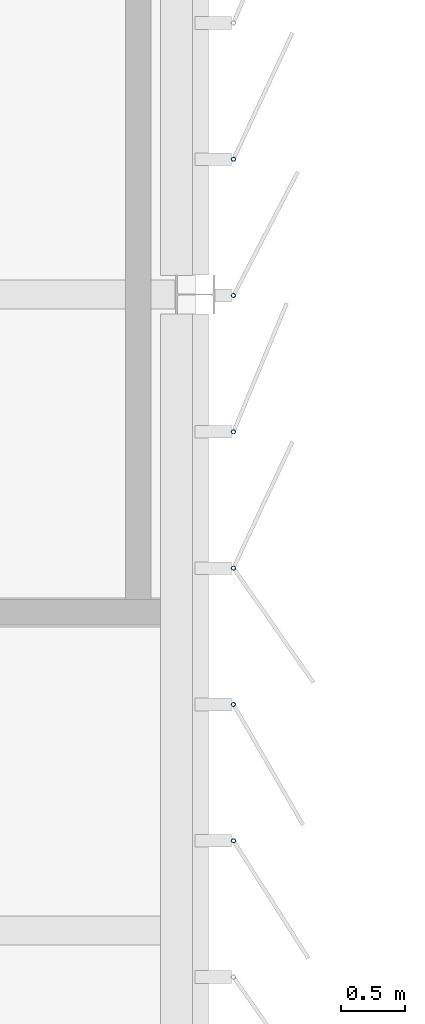
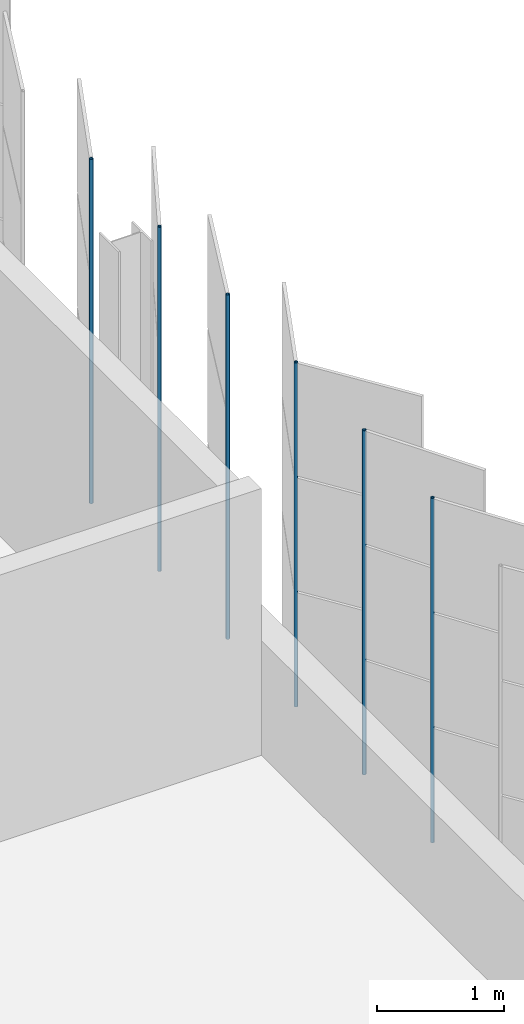
# One storey, part 111 of 214: 6 discrete accessories.
"""IFC4 building model written with IfcOpenShell, lengths in metres."""

import ifcopenshell
import ifcopenshell.guid

model = None  # the IFC model being written
_history = None  # IfcOwnerHistory: only IFC2X3 demands one
_inside = {}  # id of a spatial element -> (the spatial element, [elements in it])
_under = {}  # id of a project, library or spatial element -> (it, [spatial elements below it])
_declared = {}  # id of a project -> (the project, [libraries it declares])
_typed = {}  # id of a type object -> (the type object, [elements of that type])
_made_of = {}  # id of a material, layer set ... -> (it, [elements and type objects made of it])


def new_model(schema):
    """Start an empty IFC model of exactly this schema.

    Asked for "IFC4X3", IfcOpenShell would pick the latest addendum, in which some entities
    have other attributes; the version numbers below select the first issue.
    IFC2X3 requires an IfcOwnerHistory on every rooted entity: one is made here for all.
    """
    global model, _history
    if schema == "IFC4X3":
        model = ifcopenshell.file(schema_version=(4, 3, 0, 0))
    else:
        model = ifcopenshell.file(schema=schema)
    _inside.clear()
    _under.clear()
    _declared.clear()
    _typed.clear()
    _made_of.clear()
    _history = None
    if model.schema == "IFC2X3":
        org = make("IfcOrganization", Name="unknown")
        user = make(
            "IfcPersonAndOrganization",
            ThePerson=make("IfcPerson", FamilyName="unknown"),
            TheOrganization=org,
        )
        app = make(
            "IfcApplication",
            ApplicationDeveloper=org,
            Version="unknown",
            ApplicationFullName="unknown",
            ApplicationIdentifier="unknown",
        )
        _history = make(
            "IfcOwnerHistory",
            OwningUser=user,
            OwningApplication=app,
            ChangeAction="ADDED",
            CreationDate=0,
        )
    return model


def make(cls, **values):
    """One entity of the class cls with the attributes given. An attribute that is None is left unset."""
    return model.create_entity(
        cls, **{name: value for name, value in values.items() if value is not None}
    )


def rooted(cls, **values):
    """An entity with a GlobalId (a new one), such as an element, a storey or a relation."""
    return make(cls, GlobalId=ifcopenshell.guid.new(), OwnerHistory=_history, **values)


def si_unit(unit_type, name, prefix=None):
    """IfcSIUnit, for example si_unit("LENGTHUNIT", "METRE", prefix="MILLI")."""
    return make("IfcSIUnit", UnitType=unit_type, Prefix=prefix, Name=name)


def assignment(units):
    """IfcUnitAssignment: the units of a project."""
    return None if units is None else make("IfcUnitAssignment", Units=units)


def point(xyz):
    """IfcCartesianPoint."""
    return None if xyz is None else make("IfcCartesianPoint", Coordinates=xyz)


def direction(xyz):
    """IfcDirection."""
    return None if xyz is None else make("IfcDirection", DirectionRatios=xyz)


def frame(location, z_axis=None, x_axis=None):
    """IfcAxis2Placement3D, a coordinate frame: its origin and axes. An axis left out is left unset."""
    return make(
        "IfcAxis2Placement3D",
        Location=point(location),
        Axis=direction(z_axis),
        RefDirection=direction(x_axis),
    )


def frame_2d(location, x_axis=None):
    """IfcAxis2Placement2D, a coordinate frame in the plane: its origin and x axis."""
    return make(
        "IfcAxis2Placement2D", Location=point(location), RefDirection=direction(x_axis)
    )


def origin():
    """The frame at (0, 0, 0) with its axes left unset."""
    return frame((0.0, 0.0, 0.0))


def origin_2d():
    """The frame at (0, 0) in the plane with its x axis left unset."""
    return frame_2d((0.0, 0.0))


def place(relative_to, where):
    """IfcLocalPlacement: puts the frame where relative to a parent placement (None: the world)."""
    return make(
        "IfcLocalPlacement", PlacementRelTo=relative_to, RelativePlacement=where
    )


def context(
    kind, dimensions, precision=None, world=None, true_north=None, identifier=None
):
    """IfcGeometricRepresentationContext, for example the 3D "Model" context."""
    return make(
        "IfcGeometricRepresentationContext",
        ContextIdentifier=identifier,
        ContextType=kind,
        CoordinateSpaceDimension=dimensions,
        Precision=precision,
        WorldCoordinateSystem=world,
        TrueNorth=true_north,
    )


def subcontext(parent, identifier, kind, view, scale=None):
    """IfcGeometricRepresentationSubContext, for example "Body" below "Model"."""
    return make(
        "IfcGeometricRepresentationSubContext",
        ContextIdentifier=identifier,
        ContextType=kind,
        ParentContext=parent,
        TargetScale=scale,
        TargetView=view,
    )


def project(units=None, contexts=None):
    """IfcProject with its units and contexts."""
    return rooted(
        "IfcProject",
        Name="project",
        RepresentationContexts=contexts,
        UnitsInContext=assignment(units),
    )


def spatial(cls, under=None, at=None, **own):
    """A site, building, storey or space (cls), placed at a placement, below another one or the project."""
    s = rooted(cls, ObjectPlacement=at, **own)
    if under is not None:
        _under.setdefault(under.id(), (under, []))[1].append(s)
    return s


def profile(cls, at=None, kind="AREA", **sizes):
    """A parametric profile (cls). Its sizes go by their IFC names, for example OverallWidth=200.0."""
    return make(cls, ProfileType=kind, Position=at, **sizes)


def hollow_circle(**sizes):
    """IfcCircleHollowProfileDef."""
    return profile("IfcCircleHollowProfileDef", **sizes)


def extrude(swept, where, along, depth):
    """IfcExtrudedAreaSolid: the profile swept, set in the frame where, extruded along a direction by depth."""
    return make(
        "IfcExtrudedAreaSolid",
        SweptArea=swept,
        Position=where,
        ExtrudedDirection=direction(along),
        Depth=depth,
    )


def shape(context_of_items, identifier, shape_type, items):
    """IfcShapeRepresentation: the items that make up one representation, for example the "Body"."""
    return make(
        "IfcShapeRepresentation",
        ContextOfItems=context_of_items,
        RepresentationIdentifier=identifier,
        RepresentationType=shape_type,
        Items=items,
    )


def material(Name=None, Category=None):
    """IfcMaterial."""
    return make("IfcMaterial", Name=Name, Category=Category)


def material_profile(
    of_material, cross_section, Name=None, Category=None, Priority=None
):
    """IfcMaterialProfile: a cross section and its material."""
    return make(
        "IfcMaterialProfile",
        Name=Name,
        Material=of_material,
        Profile=cross_section,
        Priority=Priority,
        Category=Category,
    )


def profile_set(profiles, Name=None, composite=None):
    """IfcMaterialProfileSet."""
    return make(
        "IfcMaterialProfileSet",
        Name=Name,
        MaterialProfiles=profiles,
        CompositeProfile=composite,
    )


def made_of(thing, what):
    """Note that an element or type object is made of a material, layer set ...; save() writes the relation."""
    if what is not None:
        _made_of.setdefault(what.id(), (what, []))[1].append(thing)
    return thing


def type_object(cls, material=None, **own):
    """A type object (cls), such as IfcWallType, which elements share."""
    return made_of(rooted(cls, **own), material)


def element(
    cls,
    number,
    at=None,
    inside=None,
    cuts=None,
    type_object=None,
    material=None,
    context=None,
    identifier="Body",
    shape_type=None,
    held_by="IfcProductDefinitionShape",
    body=None,
    shapes=None,
    **own,
):
    """One element of the class cls, such as IfcWall. Its Tag is "e" and its number.

    at: its placement. inside: the storey or other place that contains it. cuts: it is an
    opening in that element (IfcRelVoidsElement). A single representation is given by context,
    identifier, shape_type and body (its items); several are given by shapes. held_by: the class
    of the entity that holds the representations. save() writes the other relations.
    """
    e = rooted(cls, Tag="e%d" % number, ObjectPlacement=at, **own)
    if body is not None:
        shapes = [shape(context, identifier, shape_type, body)]
    if shapes is not None:
        e.Representation = make(held_by, Representations=shapes)
    if inside is not None:
        _inside.setdefault(inside.id(), (inside, []))[1].append(e)
    if cuts is not None:
        rooted(
            "IfcRelVoidsElement", RelatingBuildingElement=cuts, RelatedOpeningElement=e
        )
    if type_object is not None:
        _typed.setdefault(type_object.id(), (type_object, []))[1].append(e)
    return made_of(e, material)


def aggregate(whole, parts):
    """IfcRelAggregates: a whole, such as a stair, and the parts it consists of."""
    return rooted("IfcRelAggregates", RelatingObject=whole, RelatedObjects=parts)


def save(model, path):
    """Write the relations noted so far, then the file.

    IfcRelAggregates (storeys below a building ...), IfcRelContainedInSpatialStructure (elements
    in a storey), IfcRelDefinesByType, IfcRelAssociatesMaterial and IfcRelDeclares: one each for
    every whole, place, type object, material and project.
    """
    for whole, parts in _under.values():
        aggregate(whole, parts)
    for where, things in _inside.values():
        rooted(
            "IfcRelContainedInSpatialStructure",
            RelatedElements=things,
            RelatingStructure=where,
        )
    for kind, things in _typed.values():
        rooted("IfcRelDefinesByType", RelatedObjects=things, RelatingType=kind)
    for what, things in _made_of.values():
        rooted("IfcRelAssociatesMaterial", RelatedObjects=things, RelatingMaterial=what)
    for by, libraries in _declared.values():
        rooted("IfcRelDeclares", RelatingContext=by, RelatedDefinitions=libraries)
    model.write(path)


model = new_model("IFC4")

# Units and contexts
model_context = context("Model", 3, precision=1e-05, world=origin(), true_north=direction((0.0, 1.0)))
body_context = subcontext(model_context, "Body", "Model", "MODEL_VIEW")
ifc_project = project(units=[si_unit("LENGTHUNIT", "METRE"), si_unit("AREAUNIT", "SQUARE_METRE"), si_unit("VOLUMEUNIT", "CUBIC_METRE"), si_unit("PLANEANGLEUNIT", "RADIAN"), si_unit("MASSUNIT", "GRAM", prefix="KILO")], contexts=[model_context])

# Site, building, storey
site_placement = place(None, origin())
site = spatial("IfcSite", under=ifc_project, at=site_placement, CompositionType="ELEMENT")
building_placement = place(site_placement, origin())
building = spatial("IfcBuilding", under=site, at=building_placement, Name="Parallax Yard Mobility Hub", CompositionType="ELEMENT")
storey_placement = place(building_placement, frame((0.0, 0.0, 3.300048828125)))
storey = spatial("IfcBuildingStorey", under=building, at=storey_placement, Name="L01", CompositionType="ELEMENT", Elevation=3.300048828125)

# Discrete accessories
ifc_material = material(Name="Steel ASTM A500 Gr C, hot-dip galvanised", Category="steel")
ifc_material_profile = material_profile(ifc_material, hollow_circle(Radius=0.016845703125, WallThickness=0.003173828125, at=origin_2d()), Name="CHS 33.7x3.2")
ifc_profile_set = profile_set([ifc_material_profile], Name="Steel ASTM A500 Gr C, hot-dip galvanised")
discrete_accessory_type = type_object("IfcDiscreteAccessoryType", Name="Hinge post CHS 33.7x3.2", PredefinedType="BRACKET", material=ifc_profile_set)
for number, where, z_axis, x_axis, name in (
    (1, (225.300048828125, 48.204833984375, 0.0), (0.0, 0.0, 1.0), (1.0, 0.0, 0.0), "Hinge post bay 35.4 level L01"),
    (2, (225.300048828125, 49.276611328125, 0.0), (0.0, 0.0, 1.0), (1.0, 0.0, 0.0), "Hinge post bay 35.5 level L01"),
    (3, (225.300048828125, 50.348388671875, 0.0), (0.0, 0.0, 1.0), (1.0, 0.0, 0.0), "Hinge post bay 35.6 level L01"),
    (4, (225.300048828125, 51.420166015625, 0.0), (0.0, 0.0, 1.0), (1.0, 0.0, 0.0), "Hinge post bay 35.7 level L01"),
    (5, (225.300048828125, 52.491943359375, 0.0), (0.0, 0.0, 1.0), (1.0, 0.0, 0.0), "Hinge post bay 36.1 level L01"),
    (6, (225.300048828125, 53.563720703125, 0.0), (0.0, 0.0, 1.0), (1.0, 0.0, 0.0), "Hinge post bay 36.2 level L01"),
):
    element("IfcDiscreteAccessory", number, at=place(storey_placement, frame(where, z_axis=z_axis, x_axis=x_axis)), inside=storey, type_object=discrete_accessory_type, Name=name, PredefinedType="BRACKET", context=body_context, shape_type="SweptSolid", body=[
        extrude(hollow_circle(Radius=0.016845703125, WallThickness=0.003173828125, at=origin_2d()), origin(), (0.0, 0.0, 1.0), 3.300048828125),
    ])

save(model, "model.ifc")
